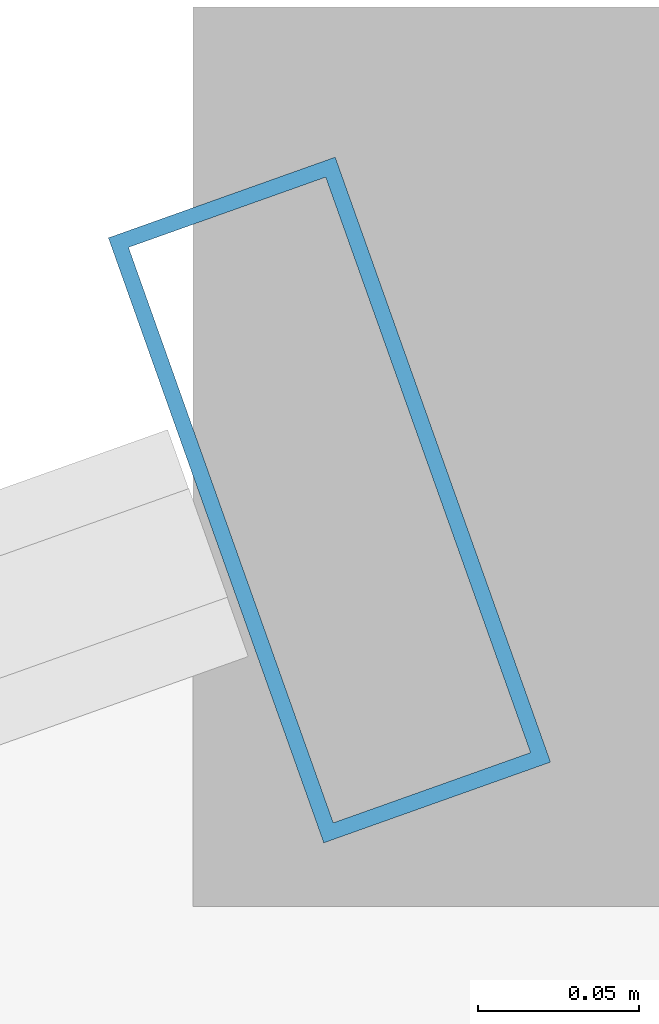
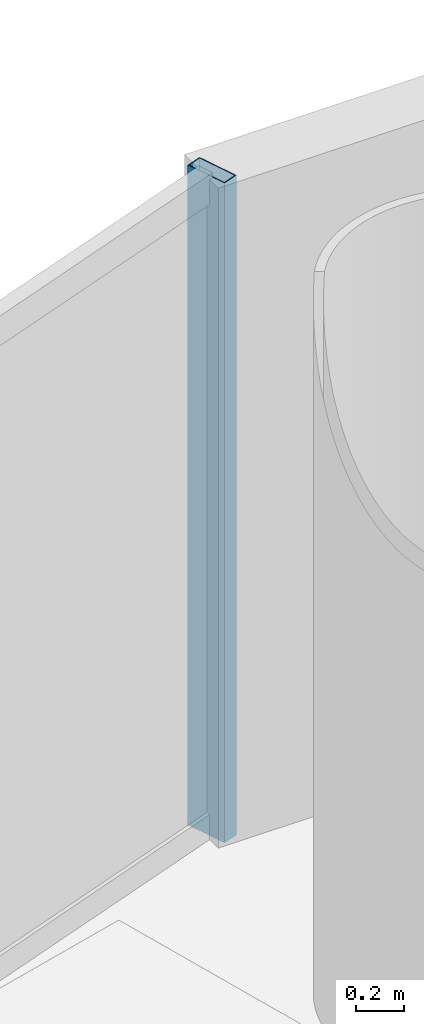
# One storey, part 17 of 27: 1 member, 1 element without a shape of its own.
"""IFC4 building model written with IfcOpenShell, lengths in metres."""

from ifc_helpers import new_model, si_unit, direction, frame, origin, origin_2d, place, context, subcontext, project, spatial, hollow_rectangle, extrude, source, transform, mapped, material, material_profile, profile_set, type_object, element, aggregate, save


model = new_model("IFC4")

# Units and contexts
model_context = context("Model", 3, precision=1e-05, world=origin(), true_north=direction((-0.2419218956, 0.970295726276)))
body_context = subcontext(model_context, "Body", "Model", "MODEL_VIEW")
ifc_project = project(units=[si_unit("LENGTHUNIT", "METRE"), si_unit("AREAUNIT", "SQUARE_METRE"), si_unit("VOLUMEUNIT", "CUBIC_METRE"), si_unit("PLANEANGLEUNIT", "RADIAN"), si_unit("MASSUNIT", "GRAM", prefix="KILO")], contexts=[model_context])

# Site, building, storey
site_placement = place(None, origin())
site = spatial("IfcSite", under=ifc_project, at=site_placement, CompositionType="ELEMENT")
building_placement = place(site_placement, origin())
building = spatial("IfcBuilding", under=site, at=building_placement, Name="Cobrevalo Terracotta Tower", CompositionType="ELEMENT")
storey_placement = place(building_placement, frame((0.0, 0.0, 153.39990234375)))
storey = spatial("IfcBuildingStorey", under=building, at=storey_placement, Name="L40", CompositionType="ELEMENT", Elevation=153.39990234375)

# Curtain wall, member
ifc_material = material(Name="Anodized aluminium", Category="aluminium")
curtain_wall_type = type_object("IfcCurtainWallType", Name="Mid-tower high-wind unitised curtain wall CW-U2", PredefinedType="NOTDEFINED", material=ifc_material)
curtain_wall_placement = place(storey_placement, origin())
curtain_wall = element("IfcCurtainWall", 1, at=curtain_wall_placement, inside=storey, type_object=curtain_wall_type, Name="L40 curtain wall CW-L40-S05", PredefinedType="NOTDEFINED")
ifc_material_profile = material_profile(ifc_material, hollow_rectangle(XDim=0.074951171875, YDim=0.199951171875, WallThickness=0.0048828125, at=origin_2d()), Name="CWM 75x200")
ifc_profile_set = profile_set([ifc_material_profile], Name="Anodized aluminium")
member_type = type_object("IfcMemberType", Name="Lower/mid tower unitised mullion 75x200", PredefinedType="MULLION", material=ifc_profile_set)
shared_shape = source(origin(), body_context, "Body", "SweptSolid", [
    extrude(hollow_rectangle(XDim=0.074951171875, YDim=0.199951171875, WallThickness=0.0048828125, at=origin_2d()), origin(), (0.0, 0.0, 1.0), 3.330078125),
])
member_placement = place(storey_placement, frame((33.2470703125, 47.157470703125, 0.0), z_axis=(0.0, 0.0, 1.0), x_axis=(-0.942098428897, -0.335336473217, 0.0)))
member = element("IfcMember", 2, at=member_placement, type_object=member_type, Name="CW-L40-S05 vertical mullion 01", PredefinedType="MULLION", context=body_context, shape_type="MappedRepresentation", body=[
    mapped(shared_shape, transform((0.0, 0.0, 0.0), scale=1.0)),
])
aggregate(curtain_wall, [member])

save(model, "model.ifc")
